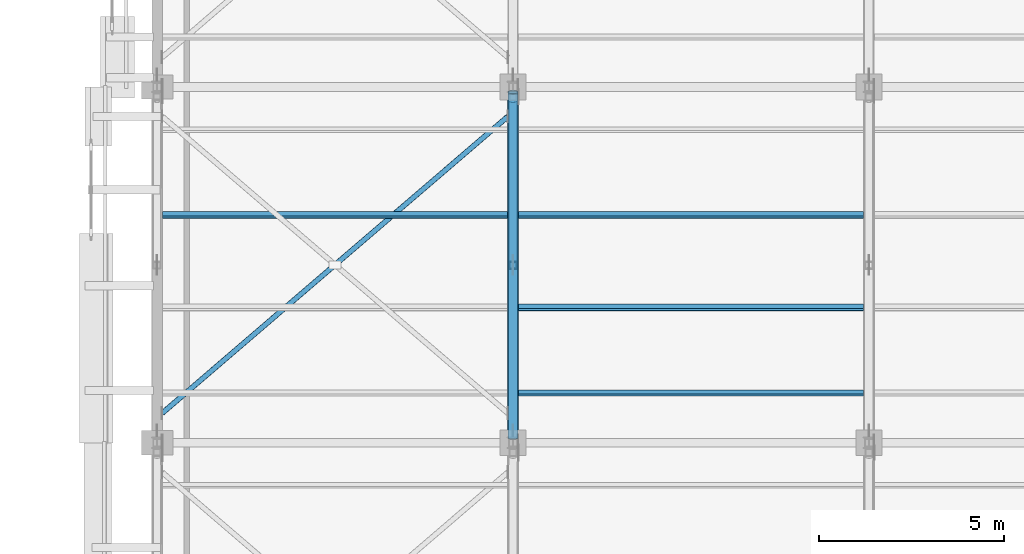
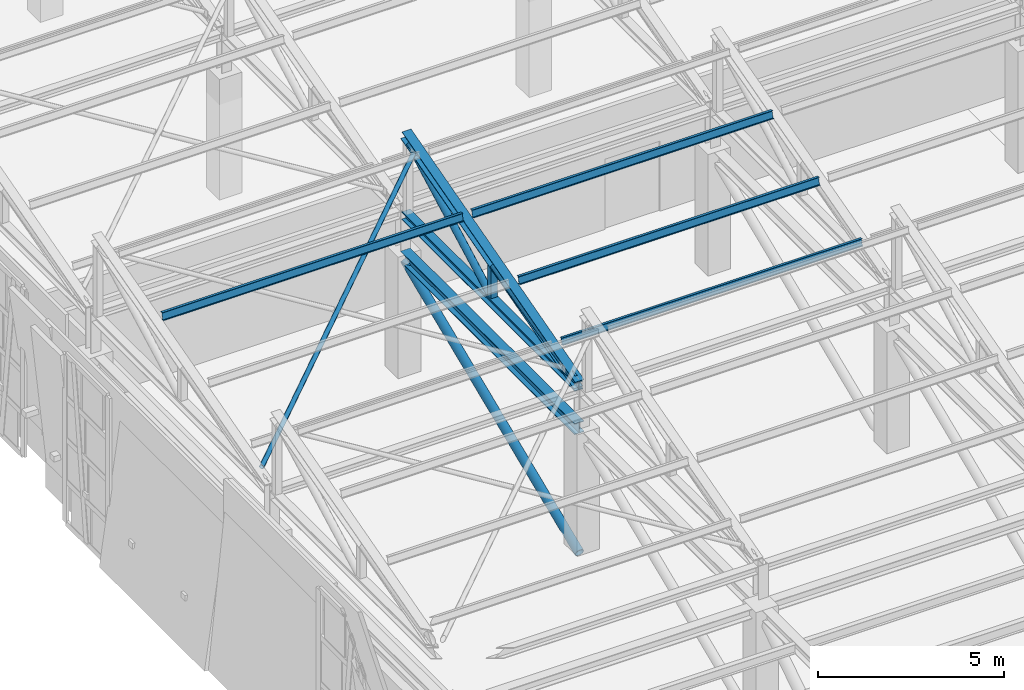
# One storey, part 10 of 71: 12 members.
"""IFC4 building model written with IfcOpenShell, lengths in metres."""

import ifcopenshell
import ifcopenshell.guid

model = None  # the IFC model being written
_history = None  # IfcOwnerHistory: only IFC2X3 demands one
_inside = {}  # id of a spatial element -> (the spatial element, [elements in it])
_under = {}  # id of a project, library or spatial element -> (it, [spatial elements below it])
_declared = {}  # id of a project -> (the project, [libraries it declares])
_typed = {}  # id of a type object -> (the type object, [elements of that type])
_made_of = {}  # id of a material, layer set ... -> (it, [elements and type objects made of it])


def new_model(schema):
    """Start an empty IFC model of exactly this schema.

    Asked for "IFC4X3", IfcOpenShell would pick the latest addendum, in which some entities
    have other attributes; the version numbers below select the first issue.
    IFC2X3 requires an IfcOwnerHistory on every rooted entity: one is made here for all.
    """
    global model, _history
    if schema == "IFC4X3":
        model = ifcopenshell.file(schema_version=(4, 3, 0, 0))
    else:
        model = ifcopenshell.file(schema=schema)
    _inside.clear()
    _under.clear()
    _declared.clear()
    _typed.clear()
    _made_of.clear()
    _history = None
    if model.schema == "IFC2X3":
        org = make("IfcOrganization", Name="unknown")
        user = make(
            "IfcPersonAndOrganization",
            ThePerson=make("IfcPerson", FamilyName="unknown"),
            TheOrganization=org,
        )
        app = make(
            "IfcApplication",
            ApplicationDeveloper=org,
            Version="unknown",
            ApplicationFullName="unknown",
            ApplicationIdentifier="unknown",
        )
        _history = make(
            "IfcOwnerHistory",
            OwningUser=user,
            OwningApplication=app,
            ChangeAction="ADDED",
            CreationDate=0,
        )
    return model


def make(cls, **values):
    """One entity of the class cls with the attributes given. An attribute that is None is left unset."""
    return model.create_entity(
        cls, **{name: value for name, value in values.items() if value is not None}
    )


def rooted(cls, **values):
    """An entity with a GlobalId (a new one), such as an element, a storey or a relation."""
    return make(cls, GlobalId=ifcopenshell.guid.new(), OwnerHistory=_history, **values)


def si_unit(unit_type, name, prefix=None):
    """IfcSIUnit, for example si_unit("LENGTHUNIT", "METRE", prefix="MILLI")."""
    return make("IfcSIUnit", UnitType=unit_type, Prefix=prefix, Name=name)


def assignment(units):
    """IfcUnitAssignment: the units of a project."""
    return None if units is None else make("IfcUnitAssignment", Units=units)


def point(xyz):
    """IfcCartesianPoint."""
    return None if xyz is None else make("IfcCartesianPoint", Coordinates=xyz)


def direction(xyz):
    """IfcDirection."""
    return None if xyz is None else make("IfcDirection", DirectionRatios=xyz)


def frame(location, z_axis=None, x_axis=None):
    """IfcAxis2Placement3D, a coordinate frame: its origin and axes. An axis left out is left unset."""
    return make(
        "IfcAxis2Placement3D",
        Location=point(location),
        Axis=direction(z_axis),
        RefDirection=direction(x_axis),
    )


def frame_2d(location, x_axis=None):
    """IfcAxis2Placement2D, a coordinate frame in the plane: its origin and x axis."""
    return make(
        "IfcAxis2Placement2D", Location=point(location), RefDirection=direction(x_axis)
    )


def origin():
    """The frame at (0, 0, 0) with its axes left unset."""
    return frame((0.0, 0.0, 0.0))


def origin_2d():
    """The frame at (0, 0) in the plane with its x axis left unset."""
    return frame_2d((0.0, 0.0))


def place(relative_to, where):
    """IfcLocalPlacement: puts the frame where relative to a parent placement (None: the world)."""
    return make(
        "IfcLocalPlacement", PlacementRelTo=relative_to, RelativePlacement=where
    )


def context(
    kind, dimensions, precision=None, world=None, true_north=None, identifier=None
):
    """IfcGeometricRepresentationContext, for example the 3D "Model" context."""
    return make(
        "IfcGeometricRepresentationContext",
        ContextIdentifier=identifier,
        ContextType=kind,
        CoordinateSpaceDimension=dimensions,
        Precision=precision,
        WorldCoordinateSystem=world,
        TrueNorth=true_north,
    )


def subcontext(parent, identifier, kind, view, scale=None):
    """IfcGeometricRepresentationSubContext, for example "Body" below "Model"."""
    return make(
        "IfcGeometricRepresentationSubContext",
        ContextIdentifier=identifier,
        ContextType=kind,
        ParentContext=parent,
        TargetScale=scale,
        TargetView=view,
    )


def project(units=None, contexts=None):
    """IfcProject with its units and contexts."""
    return rooted(
        "IfcProject",
        Name="project",
        RepresentationContexts=contexts,
        UnitsInContext=assignment(units),
    )


def spatial(cls, under=None, at=None, **own):
    """A site, building, storey or space (cls), placed at a placement, below another one or the project."""
    s = rooted(cls, ObjectPlacement=at, **own)
    if under is not None:
        _under.setdefault(under.id(), (under, []))[1].append(s)
    return s


def profile(cls, at=None, kind="AREA", **sizes):
    """A parametric profile (cls). Its sizes go by their IFC names, for example OverallWidth=200.0."""
    return make(cls, ProfileType=kind, Position=at, **sizes)


def hollow_rectangle(**sizes):
    """IfcRectangleHollowProfileDef."""
    return profile("IfcRectangleHollowProfileDef", **sizes)


def hollow_circle(**sizes):
    """IfcCircleHollowProfileDef."""
    return profile("IfcCircleHollowProfileDef", **sizes)


def i_section(**sizes):
    """IfcIShapeProfileDef."""
    return profile("IfcIShapeProfileDef", **sizes)


def extrude(swept, where, along, depth):
    """IfcExtrudedAreaSolid: the profile swept, set in the frame where, extruded along a direction by depth."""
    return make(
        "IfcExtrudedAreaSolid",
        SweptArea=swept,
        Position=where,
        ExtrudedDirection=direction(along),
        Depth=depth,
    )


def shape(context_of_items, identifier, shape_type, items):
    """IfcShapeRepresentation: the items that make up one representation, for example the "Body"."""
    return make(
        "IfcShapeRepresentation",
        ContextOfItems=context_of_items,
        RepresentationIdentifier=identifier,
        RepresentationType=shape_type,
        Items=items,
    )


def material(Name=None, Category=None):
    """IfcMaterial."""
    return make("IfcMaterial", Name=Name, Category=Category)


def material_profile(
    of_material, cross_section, Name=None, Category=None, Priority=None
):
    """IfcMaterialProfile: a cross section and its material."""
    return make(
        "IfcMaterialProfile",
        Name=Name,
        Material=of_material,
        Profile=cross_section,
        Priority=Priority,
        Category=Category,
    )


def profile_set(profiles, Name=None, composite=None):
    """IfcMaterialProfileSet."""
    return make(
        "IfcMaterialProfileSet",
        Name=Name,
        MaterialProfiles=profiles,
        CompositeProfile=composite,
    )


def made_of(thing, what):
    """Note that an element or type object is made of a material, layer set ...; save() writes the relation."""
    if what is not None:
        _made_of.setdefault(what.id(), (what, []))[1].append(thing)
    return thing


def type_object(cls, material=None, **own):
    """A type object (cls), such as IfcWallType, which elements share."""
    return made_of(rooted(cls, **own), material)


def element(
    cls,
    number,
    at=None,
    inside=None,
    cuts=None,
    type_object=None,
    material=None,
    context=None,
    identifier="Body",
    shape_type=None,
    held_by="IfcProductDefinitionShape",
    body=None,
    shapes=None,
    **own,
):
    """One element of the class cls, such as IfcWall. Its Tag is "e" and its number.

    at: its placement. inside: the storey or other place that contains it. cuts: it is an
    opening in that element (IfcRelVoidsElement). A single representation is given by context,
    identifier, shape_type and body (its items); several are given by shapes. held_by: the class
    of the entity that holds the representations. save() writes the other relations.
    """
    e = rooted(cls, Tag="e%d" % number, ObjectPlacement=at, **own)
    if body is not None:
        shapes = [shape(context, identifier, shape_type, body)]
    if shapes is not None:
        e.Representation = make(held_by, Representations=shapes)
    if inside is not None:
        _inside.setdefault(inside.id(), (inside, []))[1].append(e)
    if cuts is not None:
        rooted(
            "IfcRelVoidsElement", RelatingBuildingElement=cuts, RelatedOpeningElement=e
        )
    if type_object is not None:
        _typed.setdefault(type_object.id(), (type_object, []))[1].append(e)
    return made_of(e, material)


def aggregate(whole, parts):
    """IfcRelAggregates: a whole, such as a stair, and the parts it consists of."""
    return rooted("IfcRelAggregates", RelatingObject=whole, RelatedObjects=parts)


def save(model, path):
    """Write the relations noted so far, then the file.

    IfcRelAggregates (storeys below a building ...), IfcRelContainedInSpatialStructure (elements
    in a storey), IfcRelDefinesByType, IfcRelAssociatesMaterial and IfcRelDeclares: one each for
    every whole, place, type object, material and project.
    """
    for whole, parts in _under.values():
        aggregate(whole, parts)
    for where, things in _inside.values():
        rooted(
            "IfcRelContainedInSpatialStructure",
            RelatedElements=things,
            RelatingStructure=where,
        )
    for kind, things in _typed.values():
        rooted("IfcRelDefinesByType", RelatedObjects=things, RelatingType=kind)
    for what, things in _made_of.values():
        rooted("IfcRelAssociatesMaterial", RelatedObjects=things, RelatingMaterial=what)
    for by, libraries in _declared.values():
        rooted("IfcRelDeclares", RelatingContext=by, RelatedDefinitions=libraries)
    model.write(path)


model = new_model("IFC4")

# Units and contexts
model_context = context("Model", 3, precision=1e-05, world=origin(), true_north=direction((0.0, 1.0)))
body_context = subcontext(model_context, "Body", "Model", "MODEL_VIEW")
ifc_project = project(units=[si_unit("LENGTHUNIT", "METRE"), si_unit("AREAUNIT", "SQUARE_METRE"), si_unit("VOLUMEUNIT", "CUBIC_METRE"), si_unit("PLANEANGLEUNIT", "RADIAN"), si_unit("MASSUNIT", "GRAM", prefix="KILO")], contexts=[model_context])

# Site, building, storey
site_placement = place(None, origin())
site = spatial("IfcSite", under=ifc_project, at=site_placement, CompositionType="ELEMENT")
building_placement = place(site_placement, origin())
building = spatial("IfcBuilding", under=site, at=building_placement, Name="Bempovik Park Faculty of Sciences", CompositionType="ELEMENT")
storey_placement = place(building_placement, frame((0.0, 0.0, 14.10009765625)))
storey = spatial("IfcBuildingStorey", under=building, at=storey_placement, Name="L03", CompositionType="ELEMENT", Elevation=14.10009765625)

# Members
ifc_material = material(Name="Steel S355", Category="steel")
ifc_material_profile_1 = material_profile(ifc_material, i_section(OverallWidth=0.110107421875, OverallDepth=0.219970703125, WebThickness=0.005859375, FlangeThickness=0.00927734375, at=origin_2d()), Name="IPE 220")
ifc_profile_set_1 = profile_set([ifc_material_profile_1], Name="Steel S355")
member_type_1 = type_object("IfcMemberType", Name="M-18 IPE 220", PredefinedType="PURLIN", material=ifc_profile_set_1)
member_1_placement = place(storey_placement, frame((69.74609375, 30.743896484375, 5.847412109375), z_axis=(1.0, 0.0, 0.0), x_axis=(0.0, 0.965925826289, -0.258819045103)))
element("IfcMember", 1, at=member_1_placement, inside=storey, type_object=member_type_1, Name="Sawtooth Roof Purlin V1-B2 (69.6-79.2) #1", PredefinedType="PURLIN", context=body_context, shape_type="SweptSolid", body=[
    extrude(i_section(OverallWidth=0.110107421875, OverallDepth=0.219970703125, WebThickness=0.005859375, FlangeThickness=0.00927734375, at=origin_2d()), origin(), (0.0, 0.0, 1.0), 9.307861328125),
])
ifc_material_profile_2 = material_profile(ifc_material, hollow_circle(Radius=0.109619140625, WallThickness=0.010009765625, at=origin_2d()), Name="CHS 219.1x10")
ifc_profile_set_2 = profile_set([ifc_material_profile_2], Name="Steel S355")
member_type_2 = type_object("IfcMemberType", Name="M-22 CHS 219.1x10", PredefinedType="BRACE", material=ifc_profile_set_2)
member_2_placement = place(storey_placement, frame((69.60009765625, 34.304931640625, 5.285888671875), z_axis=(0.0, 0.882187464719, 0.470898372361), x_axis=(-1.0, 0.0, 0.0)))
element("IfcMember", 2, at=member_2_placement, inside=storey, type_object=member_type_2, Name="Sawtooth Web Diagonal 2 V1-B2 (69.6)", PredefinedType="BRACE", context=body_context, shape_type="SweptSolid", body=[
    extrude(hollow_circle(Radius=0.109619140625, WallThickness=0.010009765625, at=origin_2d()), origin(), (0.0, 0.0, 1.0), 4.902587890625),
])
ifc_material_profile_3 = material_profile(ifc_material, i_section(OverallWidth=0.300048828125, OverallDepth=0.360107421875, WebThickness=0.012451171875, FlangeThickness=0.0224609375, at=origin_2d()), Name="HEB 360")
ifc_profile_set_3 = profile_set([ifc_material_profile_3], Name="Steel S355")
member_type_3 = type_object("IfcMemberType", Name="M-23 HEB 360", PredefinedType="CHORD", material=ifc_profile_set_3)
member_3_placement = place(storey_placement, frame((69.60009765625, 29.531982421875, 3.7998046875), z_axis=(0.0, 1.0, 0.0), x_axis=(-1.0, 0.0, 0.0)))
element("IfcMember", 3, at=member_3_placement, inside=storey, type_object=member_type_3, Name="Cantilever Truss 2 Top Chord 4", PredefinedType="CHORD", context=body_context, shape_type="SweptSolid", body=[
    extrude(i_section(OverallWidth=0.300048828125, OverallDepth=0.360107421875, WebThickness=0.012451171875, FlangeThickness=0.0224609375, at=origin_2d()), origin(), (0.0, 0.0, 1.0), 9.3359375),
])
ifc_material_profile_4 = material_profile(ifc_material, i_section(OverallWidth=0.280029296875, OverallDepth=0.280029296875, WebThickness=0.010498046875, FlangeThickness=0.01806640625, at=origin_2d()), Name="HEB 280")
ifc_profile_set_4 = profile_set([ifc_material_profile_4], Name="Steel S355")
member_type_4 = type_object("IfcMemberType", Name="M-26 HEB 280", PredefinedType="CHORD", material=ifc_profile_set_4)
member_4_placement = place(storey_placement, frame((69.60009765625, 29.555908203125, 5.212158203125), z_axis=(0.0, 0.963725210394, 0.266896457173), x_axis=(-1.0, 0.0, 0.0)))
element("IfcMember", 4, at=member_4_placement, inside=storey, type_object=member_type_4, Name="Sawtooth Top Rafter Chord V1-B2 (69.6)", PredefinedType="CHORD", context=body_context, shape_type="SweptSolid", body=[
    extrude(i_section(OverallWidth=0.280029296875, OverallDepth=0.280029296875, WebThickness=0.010498046875, FlangeThickness=0.01806640625, at=origin_2d()), origin(), (0.0, 0.0, 1.0), 9.6376953125),
])
ifc_material_profile_5 = material_profile(ifc_material, hollow_rectangle(XDim=0.199951171875, YDim=0.199951171875, WallThickness=0.010009765625, at=origin_2d()), Name="SHS 200x200x10")
ifc_profile_set_5 = profile_set([ifc_material_profile_5], Name="Steel S355")
member_type_5 = type_object("IfcMemberType", Name="M-44 SHS 200x200x10", PredefinedType="POST", material=ifc_profile_set_5)
member_5_placement = place(storey_placement, frame((69.60009765625, 34.199951171875, 5.285888671875), z_axis=(0.0, 0.0, 1.0), x_axis=(1.0, 0.0, 0.0)))
element("IfcMember", 5, at=member_5_placement, inside=storey, type_object=member_type_5, Name="Sawtooth Mid Post V1-B2 (69.6)", PredefinedType="POST", context=body_context, shape_type="SweptSolid", body=[
    extrude(hollow_rectangle(XDim=0.199951171875, YDim=0.199951171875, WallThickness=0.010009765625, at=origin_2d()), origin(), (0.0, 0.0, 1.0), 1.052490234375),
])
ifc_material_profile_6 = material_profile(ifc_material, i_section(OverallWidth=0.260009765625, OverallDepth=0.260009765625, WebThickness=0.010009765625, FlangeThickness=0.017578125, at=origin_2d()), Name="HEB 260")
ifc_profile_set_6 = profile_set([ifc_material_profile_6], Name="Steel S355")
member_type_6 = type_object("IfcMemberType", Name="M-58 HEB 260", PredefinedType="CHORD", material=ifc_profile_set_6)
member_6_placement = place(storey_placement, frame((69.60009765625, 29.555908203125, 5.14990234375), z_axis=(0.0, 1.0, 0.0), x_axis=(-1.0, 0.0, 0.0)))
element("IfcMember", 6, at=member_6_placement, inside=storey, type_object=member_type_6, Name="Sawtooth Bottom Chord V1-B2 (69.6)", PredefinedType="CHORD", context=body_context, shape_type="SweptSolid", body=[
    extrude(i_section(OverallWidth=0.260009765625, OverallDepth=0.260009765625, WebThickness=0.010009765625, FlangeThickness=0.017578125, at=origin_2d()), origin(), (0.0, 0.0, 1.0), 9.2880859375),
])
ifc_material_profile_7 = material_profile(ifc_material, hollow_circle(Radius=0.136474609375, WallThickness=0.012451171875, at=origin_2d()), Name="CHS 273x12.5")
ifc_profile_set_7 = profile_set([ifc_material_profile_7], Name="Steel S355")
member_type_7 = type_object("IfcMemberType", Name="M-78 CHS 273x12.5", PredefinedType="BRACE", material=ifc_profile_set_7)
member_7_placement = place(storey_placement, frame((69.60009765625, 29.534912109375, -0.294189453125), z_axis=(0.0, 0.922349797611, 0.386355860377), x_axis=(-1.0, 0.0, 0.0)))
element("IfcMember", 7, at=member_7_placement, inside=storey, type_object=member_type_7, Name="Cantilever Truss 2 L03 Diagonal 4", PredefinedType="BRACE", context=body_context, shape_type="SweptSolid", body=[
    extrude(hollow_circle(Radius=0.136474609375, WallThickness=0.012451171875, at=origin_2d()), origin(), (0.0, 0.0, 1.0), 10.115478515625),
])
ifc_material_profile_8 = material_profile(ifc_material, hollow_circle(Radius=0.122314453125, WallThickness=0.010009765625, at=origin_2d()), Name="CHS 244.5x10")
ifc_profile_set_8 = profile_set([ifc_material_profile_8], Name="Steel S355")
member_type_8 = type_object("IfcMemberType", Name="M-82 CHS 244.5x10", PredefinedType="BRACE", material=ifc_profile_set_8)
member_8_placement = place(storey_placement, frame((69.60009765625, 29.72998046875, 5.285888671875), z_axis=(0.0, 0.972139485331, 0.234403116576), x_axis=(-1.0, 0.0, 0.0)))
element("IfcMember", 8, at=member_8_placement, inside=storey, type_object=member_type_8, Name="Sawtooth Web Diagonal 1 V1-B2 (69.6)", PredefinedType="BRACE", context=body_context, shape_type="SweptSolid", body=[
    extrude(hollow_circle(Radius=0.122314453125, WallThickness=0.010009765625, at=origin_2d()), origin(), (0.0, 0.0, 1.0), 4.489990234375),
])
ifc_material_profile_9 = material_profile(ifc_material, hollow_circle(Radius=0.06982421875, WallThickness=0.00634765625, at=origin_2d()), Name="CHS 139.7x6.3")
ifc_profile_set_9 = profile_set([ifc_material_profile_9], Name="Steel S355")
member_type_9 = type_object("IfcMemberType", Name="M-83 CHS 139.7x6.3", PredefinedType="BRACE", material=ifc_profile_set_9)
member_9_placement = place(storey_placement, frame((60.139892578125, 30.199951171875, 5.426513671875), z_axis=(0.747498624674, 0.641625014625, 0.171939369306), x_axis=(-0.651324847863, 0.758799013281, 0.0)))
element("IfcMember", 9, at=member_9_placement, inside=storey, type_object=member_type_9, Name="Sawtooth Continuous Roof X-Brace V1-B2 (60.0-69.6)", PredefinedType="BRACE", context=body_context, shape_type="SweptSolid", body=[
    extrude(hollow_circle(Radius=0.06982421875, WallThickness=0.00634765625, at=origin_2d()), origin(), (0.0, 0.0, 1.0), 12.46826171875),
])
ifc_material_profile_10 = material_profile(ifc_material, i_section(OverallWidth=0.1201171875, OverallDepth=0.239990234375, WebThickness=0.006103515625, FlangeThickness=0.009765625, at=origin_2d()), Name="IPE 240")
ifc_profile_set_10 = profile_set([ifc_material_profile_10], Name="Steel S355")
member_type_10 = type_object("IfcMemberType", Name="M-86 IPE 240", PredefinedType="PURLIN", material=ifc_profile_set_10)
member_10_placement = place(storey_placement, frame((60.14599609375, 35.5439453125, 7.12353515625), z_axis=(1.0, 0.0, 0.0), x_axis=(0.0, 0.965925826289, -0.258819045103)))
element("IfcMember", 10, at=member_10_placement, inside=storey, type_object=member_type_10, Name="Sawtooth Roof Purlin V1-B2 (60.0-69.6) #3", PredefinedType="PURLIN", context=body_context, shape_type="SweptSolid", body=[
    extrude(i_section(OverallWidth=0.1201171875, OverallDepth=0.239990234375, WebThickness=0.006103515625, FlangeThickness=0.009765625, at=origin_2d()), origin(), (0.0, 0.0, 1.0), 9.30810546875),
])
for number, where, z_axis, x_axis, name in (
    (11, (69.74609375, 33.048095703125, 6.45458984375), (1.0, 0.0, 0.0), (0.0, 0.965925826289, -0.258819045103), "Sawtooth Roof Purlin V1-B2 (69.6-79.2) #2"),
    (12, (69.74609375, 35.5439453125, 7.12353515625), (1.0, 0.0, 0.0), (0.0, 0.965925826289, -0.258819045103), "Sawtooth Roof Purlin V1-B2 (69.6-79.2) #3"),
):
    element("IfcMember", number, at=place(storey_placement, frame(where, z_axis=z_axis, x_axis=x_axis)), inside=storey, type_object=member_type_10, Name=name, PredefinedType="PURLIN", context=body_context, shape_type="SweptSolid", body=[
        extrude(i_section(OverallWidth=0.1201171875, OverallDepth=0.239990234375, WebThickness=0.006103515625, FlangeThickness=0.009765625, at=origin_2d()), origin(), (0.0, 0.0, 1.0), 9.307861328125),
    ])

save(model, "model.ifc")
